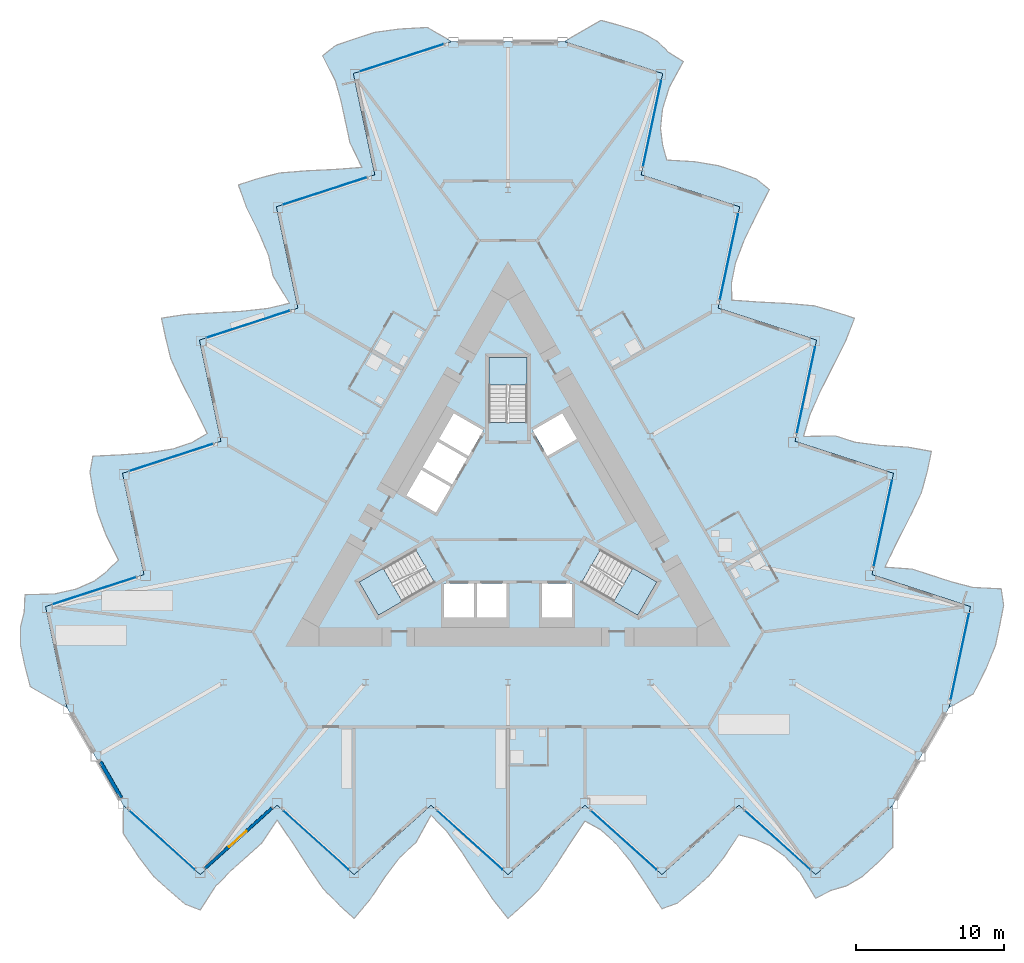
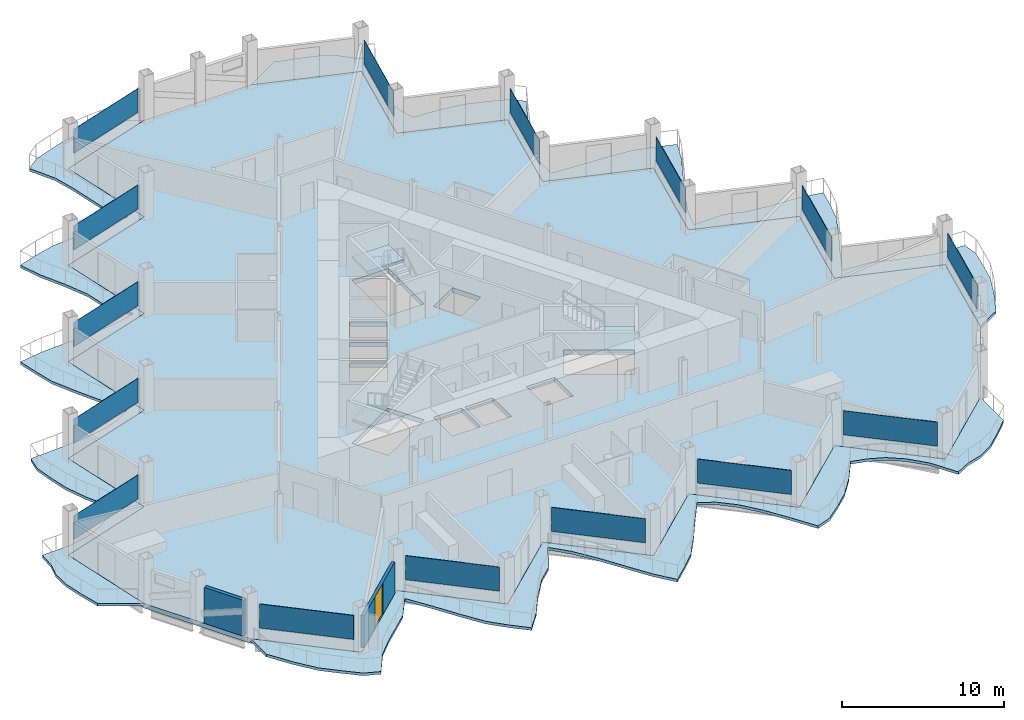
# One storey, part 10 of 24: 15 plates, 7 slabs, 2 walls, 1 door, 1 opening, 18 elements without a shape of their own.
"""IFC4 building model written with IfcOpenShell, lengths in metres."""

from ifc_helpers import new_model, si_unit, direction, frame, frame_2d, origin, origin_2d, place, context, subcontext, project, spatial, polyline, rectangle, outline, extrude, material, layer, layer_set, type_object, element, fill, aggregate, save


model = new_model("IFC4")

# Units and contexts
model_context = context("Model", 3, precision=1e-05, world=origin(), true_north=direction((0.0, 1.0)))
body_context = subcontext(model_context, "Body", "Model", "MODEL_VIEW")
ifc_project = project(units=[si_unit("LENGTHUNIT", "METRE"), si_unit("AREAUNIT", "SQUARE_METRE"), si_unit("VOLUMEUNIT", "CUBIC_METRE"), si_unit("PLANEANGLEUNIT", "RADIAN"), si_unit("MASSUNIT", "GRAM", prefix="KILO")], contexts=[model_context])

# Site, building, storey
site_placement = place(None, origin())
site = spatial("IfcSite", under=ifc_project, at=site_placement, CompositionType="ELEMENT")
building_placement = place(site_placement, origin())
building = spatial("IfcBuilding", under=site, at=building_placement, Name="Cormorant Prow Tower", CompositionType="ELEMENT")
storey_placement = place(building_placement, frame((0.0, 0.0, 270.60009765625)))
storey = spatial("IfcBuildingStorey", under=building, at=storey_placement, Name="L61", CompositionType="ELEMENT", Elevation=270.60009765625)

# Slabs
ifc_material_1 = material(Name="Concrete C40/50", Category="concrete")
ifc_layer_1 = layer(ifc_material_1, 0.199951171875)
ifc_layer_set_1 = layer_set([ifc_layer_1], Name="Concrete C40/50")
slab_type_1 = type_object("IfcSlabType", Name="Balcony slab 200", PredefinedType="FLOOR", material=ifc_layer_set_1)
slab_1_placement = place(storey_placement, frame((0.0, 0.0, -0.2001953125)))
element("IfcSlab", 1, at=slab_1_placement, inside=storey, type_object=slab_type_1, Name="Balcony slab S L61", PredefinedType="FLOOR", context=body_context, shape_type="SweptSolid", body=[
    extrude(outline(polyline([(-25.926025390625, -19.346435546875), (-25.926025390625, -21.24658203125), (-24.888916015625, -22.83154296875), (-23.85205078125, -24.1640625), (-22.81494140625, -25.097900390625), (-21.77783203125, -25.998046875), (-20.740966796875, -26.40380859375), (-19.703857421875, -24.799072265625), (-18.666748046875, -23.747802734375), (-17.629638671875, -22.81396484375), (-16.5927734375, -21.88037109375), (-15.5556640625, -20.34716796875), (-14.5185546875, -21.86474609375), (-13.4814453125, -23.474853515625), (-12.444580078125, -24.979248046875), (-11.407470703125, -26.031494140625), (-10.370361328125, -26.96533203125), (-9.33349609375, -25.74462890625), (-8.29638671875, -24.183349609375), (-7.25927734375, -22.81396484375), (-6.22216796875, -21.88037109375), (-5.185302734375, -19.997314453125), (-4.148193359375, -21.0908203125), (-3.111083984375, -22.50341796875), (-2.073974609375, -24.094970703125), (-1.037109375, -25.672607421875), (0.0, -26.96533203125), (1.037109375, -26.031494140625), (2.073974609375, -25.0361328125), (3.111083984375, -23.558837890625), (4.148193359375, -21.951416015625), (5.185302734375, -20.410888671875), (6.22216796875, -20.982666015625), (7.25927734375, -21.9052734375), (8.29638671875, -23.181640625), (9.33349609375, -24.7119140625), (10.370361328125, -26.321044921875), (11.407470703125, -25.94384765625), (12.444580078125, -25.097900390625), (13.4814453125, -24.1640625), (14.5185546875, -22.905517578125), (15.5556640625, -21.335205078125), (16.5927734375, -21.6064453125), (17.629638671875, -22.045654296875), (18.666748046875, -22.7978515625), (19.703857421875, -23.916015625), (20.740966796875, -25.615234375), (21.77783203125, -25.07568359375), (22.81494140625, -24.777587890625), (23.85205078125, -24.1640625), (24.888916015625, -23.230224609375), (25.926025390625, -22.205322265625), (25.926025390625, -19.346435546875), (24.888916015625, -20.2802734375), (23.85205078125, -21.214111328125), (22.81494140625, -22.147705078125), (21.77783203125, -23.08154296875), (20.740966796875, -24.015380859375), (19.703857421875, -23.08154296875), (18.666748046875, -22.147705078125), (17.629638671875, -21.214111328125), (16.5927734375, -20.2802734375), (15.5556640625, -19.346435546875), (14.5185546875, -20.2802734375), (13.4814453125, -21.214111328125), (12.444580078125, -22.147705078125), (11.407470703125, -23.08154296875), (10.370361328125, -24.015380859375), (9.33349609375, -23.08154296875), (8.29638671875, -22.147705078125), (7.25927734375, -21.214111328125), (6.22216796875, -20.2802734375), (5.185302734375, -19.346435546875), (4.148193359375, -20.2802734375), (3.111083984375, -21.214111328125), (2.073974609375, -22.147705078125), (1.037109375, -23.08154296875), (0.0, -24.015380859375), (-1.037109375, -23.08154296875), (-2.073974609375, -22.147705078125), (-3.111083984375, -21.214111328125), (-4.148193359375, -20.2802734375), (-5.185302734375, -19.346435546875), (-6.22216796875, -20.2802734375), (-7.25927734375, -21.214111328125), (-8.29638671875, -22.147705078125), (-9.33349609375, -23.08154296875), (-10.370361328125, -24.015380859375), (-11.407470703125, -23.08154296875), (-12.444580078125, -22.147705078125), (-13.4814453125, -21.214111328125), (-14.5185546875, -20.2802734375), (-15.5556640625, -19.346435546875), (-16.5927734375, -20.2802734375), (-17.629638671875, -21.214111328125), (-18.666748046875, -22.147705078125), (-19.703857421875, -23.08154296875), (-20.740966796875, -24.015380859375), (-21.77783203125, -23.08154296875), (-22.81494140625, -22.147705078125), (-23.85205078125, -21.214111328125), (-24.888916015625, -20.2802734375), (-25.926025390625, -19.346435546875)])), origin(), (0.0, 0.0, 1.0), 0.2001953125),
])
slab_2_placement = place(storey_placement, frame((0.0, 0.0, -0.2001953125)))
element("IfcSlab", 2, at=slab_2_placement, inside=storey, type_object=slab_type_1, Name="Balcony slab ENE L61", PredefinedType="FLOOR", context=body_context, shape_type="SweptSolid", body=[
    extrude(outline(polyline([(29.717529296875, -12.779296875), (31.363037109375, -11.829345703125), (32.21728515625, -10.138671875), (32.8525390625, -8.574462890625), (33.142822265625, -7.20947265625), (33.40380859375, -5.861083984375), (33.23681640625, -4.76025390625), (31.32861328125, -4.664306640625), (29.899658203125, -4.2919921875), (28.572509765625, -3.86083984375), (27.2451171875, -3.429443359375), (25.39892578125, -3.298095703125), (26.19482421875, -1.64111328125), (27.070556640625, 0.06201171875), (27.85498046875, 1.71240234375), (28.247802734375, 3.13671875), (28.537841796875, 4.501708984375), (26.962158203125, 4.789306640625), (25.091552734375, 4.906982421875), (23.38720703125, 5.120361328125), (22.06005859375, 5.551513671875), (19.910888671875, 5.508056640625), (20.33935546875, 6.953125), (21.044189453125, 8.557373046875), (21.90380859375, 10.251220703125), (22.75146484375, 11.938232421875), (23.3525390625, 13.482666015625), (22.025390625, 13.913818359375), (20.644775390625, 14.314208984375), (18.84716796875, 14.473876953125), (16.9365234375, 14.568115234375), (15.083740234375, 14.696044921875), (15.060546875, 15.8798828125), (15.3408203125, 17.2392578125), (15.927734375, 18.775634765625), (16.734375, 20.43896484375), (17.609375, 22.1416015625), (16.76416015625, 22.85107421875), (15.51318359375, 23.326171875), (14.185791015625, 23.75732421875), (12.57763671875, 24.0263671875), (10.698974609375, 24.13916015625), (10.415283203125, 25.1728515625), (10.27734375, 26.29052734375), (10.41015625, 27.564697265625), (10.85986328125, 29.02197265625), (11.81298828125, 30.769775390625), (10.8271484375, 31.39794921875), (10.050537109375, 32.14697265625), (9.000732421875, 32.738525390625), (7.673583984375, 33.169677734375), (6.267333984375, 33.55517578125), (3.79150390625, 32.1259765625), (5.11865234375, 31.694580078125), (6.44580078125, 31.263427734375), (7.773193359375, 30.832275390625), (9.100341796875, 30.40087890625), (10.427490234375, 29.9697265625), (10.13720703125, 28.604736328125), (9.84716796875, 27.23974609375), (9.55712890625, 25.874755859375), (9.266845703125, 24.509765625), (8.976806640625, 23.144775390625), (10.303955078125, 22.713623046875), (11.631103515625, 22.282470703125), (12.958251953125, 21.85107421875), (14.285400390625, 21.419921875), (15.612548828125, 20.98876953125), (15.322509765625, 19.623779296875), (15.032470703125, 18.2587890625), (14.7421875, 16.893798828125), (14.4521484375, 15.52880859375), (14.161865234375, 14.163818359375), (15.4892578125, 13.732666015625), (16.81640625, 13.30126953125), (18.1435546875, 12.8701171875), (19.470703125, 12.43896484375), (20.7978515625, 12.007568359375), (20.5078125, 10.642578125), (20.217529296875, 9.277587890625), (19.927490234375, 7.91259765625), (19.63720703125, 6.547607421875), (19.34716796875, 5.1826171875), (20.67431640625, 4.75146484375), (22.00146484375, 4.3203125), (23.32861328125, 3.88916015625), (24.656005859375, 3.457763671875), (25.983154296875, 3.026611328125), (25.69287109375, 1.66162109375), (25.40283203125, 0.296630859375), (25.112548828125, -1.068359375), (24.822509765625, -2.433349609375), (24.532470703125, -3.79833984375), (25.859619140625, -4.2294921875), (27.186767578125, -4.660888671875), (28.513916015625, -5.092041015625), (29.841064453125, -5.523193359375), (31.168212890625, -5.954345703125), (30.878173828125, -7.3193359375), (30.588134765625, -8.684326171875), (30.2978515625, -10.04931640625), (30.0078125, -11.414306640625), (29.717529296875, -12.779296875)])), origin(), (0.0, 0.0, 1.0), 0.2001953125),
])
slab_3_placement = place(storey_placement, frame((0.0, 0.0, -0.2001953125)))
element("IfcSlab", 3, at=slab_3_placement, inside=storey, type_object=slab_type_1, Name="Balcony slab WNW L61", PredefinedType="FLOOR", context=body_context, shape_type="SweptSolid", body=[
    extrude(outline(polyline([(-3.79150390625, 32.1259765625), (-5.43701171875, 33.075927734375), (-7.328125, 32.97021484375), (-9.000732421875, 32.738525390625), (-10.327880859375, 32.30712890625), (-11.6259765625, 31.859130859375), (-12.49609375, 31.1640625), (-11.624755859375, 29.463623046875), (-11.23291015625, 28.039794921875), (-10.942626953125, 26.6748046875), (-10.652587890625, 25.309814453125), (-9.84326171875, 23.64501953125), (-11.67626953125, 23.505859375), (-13.589111328125, 23.412841796875), (-15.410400390625, 23.266845703125), (-16.84033203125, 22.89501953125), (-18.16748046875, 22.463623046875), (-17.62890625, 20.955322265625), (-16.79541015625, 19.276611328125), (-16.1279296875, 17.69384765625), (-15.837646484375, 16.328857421875), (-14.7255859375, 14.4892578125), (-16.191162109375, 14.137939453125), (-17.93310546875, 13.946044921875), (-19.829833984375, 13.84375), (-21.714599609375, 13.734375), (-23.3525390625, 13.482666015625), (-23.0625, 12.11767578125), (-22.718994140625, 10.721923828125), (-21.958251953125, 9.085205078125), (-21.08447265625, 7.38330078125), (-20.26904296875, 5.71484375), (-21.28271484375, 5.102783203125), (-22.60009765625, 4.665771484375), (-24.22412109375, 4.406005859375), (-26.06787109375, 4.27294921875), (-27.97998046875, 4.179443359375), (-28.171630859375, 3.0927734375), (-27.95751953125, 1.771728515625), (-27.66748046875, 0.40673828125), (-27.09619140625, -1.12060546875), (-26.254638671875, -2.803955078125), (-27.008056640625, -3.56640625), (-27.906982421875, -4.244873046875), (-29.076904296875, -4.76708984375), (-30.563720703125, -5.10595703125), (-32.553955078125, -5.154541015625), (-32.605224609375, -6.322265625), (-32.865478515625, -7.36962890625), (-32.8525390625, -8.574462890625), (-32.5625, -9.939453125), (-32.193359375, -11.349853515625), (-29.717529296875, -12.779296875), (-30.0078125, -11.414306640625), (-30.2978515625, -10.04931640625), (-30.588134765625, -8.684326171875), (-30.878173828125, -7.3193359375), (-31.168212890625, -5.954345703125), (-29.841064453125, -5.523193359375), (-28.513916015625, -5.092041015625), (-27.186767578125, -4.660888671875), (-25.859619140625, -4.2294921875), (-24.532470703125, -3.79833984375), (-24.822509765625, -2.433349609375), (-25.112548828125, -1.068359375), (-25.40283203125, 0.296630859375), (-25.69287109375, 1.66162109375), (-25.983154296875, 3.026611328125), (-24.656005859375, 3.457763671875), (-23.32861328125, 3.88916015625), (-22.00146484375, 4.3203125), (-20.67431640625, 4.75146484375), (-19.34716796875, 5.1826171875), (-19.63720703125, 6.547607421875), (-19.927490234375, 7.91259765625), (-20.217529296875, 9.277587890625), (-20.5078125, 10.642578125), (-20.7978515625, 12.007568359375), (-19.470703125, 12.43896484375), (-18.1435546875, 12.8701171875), (-16.81640625, 13.30126953125), (-15.4892578125, 13.732666015625), (-14.161865234375, 14.163818359375), (-14.4521484375, 15.52880859375), (-14.7421875, 16.893798828125), (-15.032470703125, 18.2587890625), (-15.322509765625, 19.623779296875), (-15.612548828125, 20.98876953125), (-14.285400390625, 21.419921875), (-12.958251953125, 21.85107421875), (-11.631103515625, 22.282470703125), (-10.303955078125, 22.713623046875), (-8.976806640625, 23.144775390625), (-9.266845703125, 24.509765625), (-9.55712890625, 25.874755859375), (-9.84716796875, 27.23974609375), (-10.13720703125, 28.604736328125), (-10.427490234375, 29.9697265625), (-9.100341796875, 30.40087890625), (-7.773193359375, 30.832275390625), (-6.44580078125, 31.263427734375), (-5.11865234375, 31.694580078125), (-3.79150390625, 32.1259765625)])), origin(), (0.0, 0.0, 1.0), 0.2001953125),
])

# Curtain wall, plate
ifc_material_2 = material(Name="Aluminium 6063-T6", Category="aluminium")
ifc_layer_2 = layer(ifc_material_2, 0.179931640625)
ifc_layer_set_2 = layer_set([ifc_layer_2], Name="Aluminium 6063-T6")
curtain_wall_type = type_object("IfcCurtainWallType", Name="Hotel unitised curtain wall 180", PredefinedType="NOTDEFINED", material=ifc_layer_set_2)
curtain_wall_1_placement = place(storey_placement, origin())
curtain_wall_1 = element("IfcCurtainWall", 4, at=curtain_wall_1_placement, inside=storey, type_object=curtain_wall_type, Name="Hotel curtain wall S00", PredefinedType="NOTDEFINED")
ifc_material_3 = material(Name="Clear glass", Category="glass")
ifc_layer_3 = layer(ifc_material_3, 0.028076171875)
ifc_layer_set_3 = layer_set([ifc_layer_3], Name="Clear glass")
plate_type = type_object("IfcPlateType", Name="Hotel glass panel 28", PredefinedType="CURTAIN_PANEL", material=ifc_layer_set_3)
plate_1_placement = place(storey_placement, frame((-23.31103515625, -21.700927734375, 0.89990234375), z_axis=(0.0, 0.0, 1.0), x_axis=(0.743144822266, -0.669130609926, 0.0)))
plate_1 = element("IfcPlate", 5, at=plate_1_placement, type_object=plate_type, Name="Hotel glass panel S00", PredefinedType="CURTAIN_PANEL", context=body_context, shape_type="SweptSolid", body=[
    extrude(rectangle(XDim=5.915283203125, YDim=0.028076171875, at=origin_2d()), origin(), (0.0, 0.0, 1.0), 1.80078125),
])
aggregate(curtain_wall_1, [plate_1])

curtain_wall_2_placement = place(storey_placement, origin())
curtain_wall_2 = element("IfcCurtainWall", 6, at=curtain_wall_2_placement, inside=storey, type_object=curtain_wall_type, Name="Hotel curtain wall S02", PredefinedType="NOTDEFINED")
plate_2_placement = place(storey_placement, frame((-12.940673828125, -21.700927734375, 0.89990234375), z_axis=(0.0, 0.0, 1.0), x_axis=(0.743144886439, -0.669130538654, 0.0)))
plate_2 = element("IfcPlate", 7, at=plate_2_placement, type_object=plate_type, Name="Hotel glass panel S02", PredefinedType="CURTAIN_PANEL", context=body_context, shape_type="SweptSolid", body=[
    extrude(rectangle(XDim=5.915283203125, YDim=0.028076171875, at=origin_2d()), origin(), (0.0, 0.0, 1.0), 1.80078125),
])
aggregate(curtain_wall_2, [plate_2])

curtain_wall_3_placement = place(storey_placement, origin())
curtain_wall_3 = element("IfcCurtainWall", 8, at=curtain_wall_3_placement, inside=storey, type_object=curtain_wall_type, Name="Hotel curtain wall S04", PredefinedType="NOTDEFINED")
plate_3_placement = place(storey_placement, frame((-2.5703125, -21.700927734375, 0.89990234375), z_axis=(0.0, 0.0, 1.0), x_axis=(0.743144822266, -0.669130609926, 0.0)))
plate_3 = element("IfcPlate", 9, at=plate_3_placement, type_object=plate_type, Name="Hotel glass panel S04", PredefinedType="CURTAIN_PANEL", context=body_context, shape_type="SweptSolid", body=[
    extrude(rectangle(XDim=5.915283203125, YDim=0.028076171875, at=origin_2d()), origin(), (0.0, 0.0, 1.0), 1.80078125),
])
aggregate(curtain_wall_3, [plate_3])

curtain_wall_4_placement = place(storey_placement, origin())
curtain_wall_4 = element("IfcCurtainWall", 10, at=curtain_wall_4_placement, inside=storey, type_object=curtain_wall_type, Name="Hotel curtain wall S06", PredefinedType="NOTDEFINED")
plate_4_placement = place(storey_placement, frame((7.800048828125, -21.700927734375, 0.89990234375), z_axis=(0.0, 0.0, 1.0), x_axis=(0.743144822266, -0.669130609926, 0.0)))
plate_4 = element("IfcPlate", 11, at=plate_4_placement, type_object=plate_type, Name="Hotel glass panel S06", PredefinedType="CURTAIN_PANEL", context=body_context, shape_type="SweptSolid", body=[
    extrude(rectangle(XDim=5.915283203125, YDim=0.028076171875, at=origin_2d()), origin(), (0.0, 0.0, 1.0), 1.80078125),
])
aggregate(curtain_wall_4, [plate_4])

curtain_wall_5_placement = place(storey_placement, origin())
curtain_wall_5 = element("IfcCurtainWall", 12, at=curtain_wall_5_placement, inside=storey, type_object=curtain_wall_type, Name="Hotel curtain wall S08", PredefinedType="NOTDEFINED")
plate_5_placement = place(storey_placement, frame((18.170654296875, -21.700927734375, 0.89990234375), z_axis=(0.0, 0.0, 1.0), x_axis=(0.743144822266, -0.669130609926, 0.0)))
plate_5 = element("IfcPlate", 13, at=plate_5_placement, type_object=plate_type, Name="Hotel glass panel S08", PredefinedType="CURTAIN_PANEL", context=body_context, shape_type="SweptSolid", body=[
    extrude(rectangle(XDim=5.915283203125, YDim=0.028076171875, at=origin_2d()), origin(), (0.0, 0.0, 1.0), 1.80078125),
])
aggregate(curtain_wall_5, [plate_5])

curtain_wall_6_placement = place(storey_placement, origin())
curtain_wall_6 = element("IfcCurtainWall", 14, at=curtain_wall_6_placement, inside=storey, type_object=curtain_wall_type, Name="Hotel curtain wall ENE00", PredefinedType="NOTDEFINED")
plate_6_placement = place(storey_placement, frame((30.44921875, -9.337646484375, 0.89990234375), z_axis=(0.0, 0.0, 1.0), x_axis=(0.207911705739, 0.978147597562, 0.0)))
plate_6 = element("IfcPlate", 15, at=plate_6_placement, type_object=plate_type, Name="Hotel glass panel ENE00", PredefinedType="CURTAIN_PANEL", context=body_context, shape_type="SweptSolid", body=[
    extrude(rectangle(XDim=5.915283203125, YDim=0.028076171875, at=origin_2d()), origin(), (0.0, 0.0, 1.0), 1.80078125),
])
aggregate(curtain_wall_6, [plate_6])

curtain_wall_7_placement = place(storey_placement, origin())
curtain_wall_7 = element("IfcCurtainWall", 16, at=curtain_wall_7_placement, inside=storey, type_object=curtain_wall_type, Name="Hotel curtain wall ENE02", PredefinedType="NOTDEFINED")
plate_7_placement = place(storey_placement, frame((25.263916015625, -0.3564453125, 0.89990234375), z_axis=(0.0, 0.0, 1.0), x_axis=(0.207911705739, 0.978147597562, 0.0)))
plate_7 = element("IfcPlate", 17, at=plate_7_placement, type_object=plate_type, Name="Hotel glass panel ENE02", PredefinedType="CURTAIN_PANEL", context=body_context, shape_type="SweptSolid", body=[
    extrude(rectangle(XDim=5.915283203125, YDim=0.028076171875, at=origin_2d()), origin(), (0.0, 0.0, 1.0), 1.80078125),
])
aggregate(curtain_wall_7, [plate_7])

curtain_wall_8_placement = place(storey_placement, origin())
curtain_wall_8 = element("IfcCurtainWall", 18, at=curtain_wall_8_placement, inside=storey, type_object=curtain_wall_type, Name="Hotel curtain wall ENE04", PredefinedType="NOTDEFINED")
plate_8_placement = place(storey_placement, frame((20.078857421875, 8.62451171875, 0.89990234375), z_axis=(0.0, 0.0, 1.0), x_axis=(0.207911705739, 0.978147597562, 0.0)))
plate_8 = element("IfcPlate", 19, at=plate_8_placement, type_object=plate_type, Name="Hotel glass panel ENE04", PredefinedType="CURTAIN_PANEL", context=body_context, shape_type="SweptSolid", body=[
    extrude(rectangle(XDim=5.915283203125, YDim=0.028076171875, at=origin_2d()), origin(), (0.0, 0.0, 1.0), 1.80078125),
])
aggregate(curtain_wall_8, [plate_8])

curtain_wall_9_placement = place(storey_placement, origin())
curtain_wall_9 = element("IfcCurtainWall", 20, at=curtain_wall_9_placement, inside=storey, type_object=curtain_wall_type, Name="Hotel curtain wall ENE06", PredefinedType="NOTDEFINED")
plate_9_placement = place(storey_placement, frame((14.8935546875, 17.60546875, 0.89990234375), z_axis=(0.0, 0.0, 1.0), x_axis=(0.207911676597, 0.978147603757, 0.0)))
plate_9 = element("IfcPlate", 21, at=plate_9_placement, type_object=plate_type, Name="Hotel glass panel ENE06", PredefinedType="CURTAIN_PANEL", context=body_context, shape_type="SweptSolid", body=[
    extrude(rectangle(XDim=5.915283203125, YDim=0.028076171875, at=origin_2d()), origin(), (0.0, 0.0, 1.0), 1.80078125),
])
aggregate(curtain_wall_9, [plate_9])

curtain_wall_10_placement = place(storey_placement, origin())
curtain_wall_10 = element("IfcCurtainWall", 22, at=curtain_wall_10_placement, inside=storey, type_object=curtain_wall_type, Name="Hotel curtain wall ENE08", PredefinedType="NOTDEFINED")
plate_10_placement = place(storey_placement, frame((9.708251953125, 26.586669921875, 0.89990234375), z_axis=(0.0, 0.0, 1.0), x_axis=(0.207911705739, 0.978147597562, 0.0)))
plate_10 = element("IfcPlate", 23, at=plate_10_placement, type_object=plate_type, Name="Hotel glass panel ENE08", PredefinedType="CURTAIN_PANEL", context=body_context, shape_type="SweptSolid", body=[
    extrude(rectangle(XDim=5.915283203125, YDim=0.028076171875, at=origin_2d()), origin(), (0.0, 0.0, 1.0), 1.80078125),
])
aggregate(curtain_wall_10, [plate_10])

curtain_wall_11_placement = place(storey_placement, origin())
curtain_wall_11 = element("IfcCurtainWall", 24, at=curtain_wall_11_placement, inside=storey, type_object=curtain_wall_type, Name="Hotel curtain wall WNW00", PredefinedType="NOTDEFINED")
plate_11_placement = place(storey_placement, frame((-7.137939453125, 31.03857421875, 0.89990234375), z_axis=(0.0, 0.0, 1.0), x_axis=(-0.95105651684, -0.309016992698, 0.0)))
plate_11 = element("IfcPlate", 25, at=plate_11_placement, type_object=plate_type, Name="Hotel glass panel WNW00", PredefinedType="CURTAIN_PANEL", context=body_context, shape_type="SweptSolid", body=[
    extrude(rectangle(XDim=5.915283203125, YDim=0.028076171875, at=origin_2d()), origin(), (0.0, 0.0, 1.0), 1.80078125),
])
aggregate(curtain_wall_11, [plate_11])

curtain_wall_12_placement = place(storey_placement, origin())
curtain_wall_12 = element("IfcCurtainWall", 26, at=curtain_wall_12_placement, inside=storey, type_object=curtain_wall_type, Name="Hotel curtain wall WNW02", PredefinedType="NOTDEFINED")
plate_12_placement = place(storey_placement, frame((-12.3232421875, 22.0576171875, 0.89990234375), z_axis=(0.0, 0.0, 1.0), x_axis=(-0.95105651684, -0.309016992698, 0.0)))
plate_12 = element("IfcPlate", 27, at=plate_12_placement, type_object=plate_type, Name="Hotel glass panel WNW02", PredefinedType="CURTAIN_PANEL", context=body_context, shape_type="SweptSolid", body=[
    extrude(rectangle(XDim=5.915283203125, YDim=0.028076171875, at=origin_2d()), origin(), (0.0, 0.0, 1.0), 1.80078125),
])
aggregate(curtain_wall_12, [plate_12])

curtain_wall_13_placement = place(storey_placement, origin())
curtain_wall_13 = element("IfcCurtainWall", 28, at=curtain_wall_13_placement, inside=storey, type_object=curtain_wall_type, Name="Hotel curtain wall WNW04", PredefinedType="NOTDEFINED")
plate_13_placement = place(storey_placement, frame((-17.508544921875, 13.076416015625, 0.89990234375), z_axis=(0.0, 0.0, 1.0), x_axis=(-0.95105651684, -0.309016992698, 0.0)))
plate_13 = element("IfcPlate", 29, at=plate_13_placement, type_object=plate_type, Name="Hotel glass panel WNW04", PredefinedType="CURTAIN_PANEL", context=body_context, shape_type="SweptSolid", body=[
    extrude(rectangle(XDim=5.915283203125, YDim=0.028076171875, at=origin_2d()), origin(), (0.0, 0.0, 1.0), 1.80078125),
])
aggregate(curtain_wall_13, [plate_13])

curtain_wall_14_placement = place(storey_placement, origin())
curtain_wall_14 = element("IfcCurtainWall", 30, at=curtain_wall_14_placement, inside=storey, type_object=curtain_wall_type, Name="Hotel curtain wall WNW06", PredefinedType="NOTDEFINED")
plate_14_placement = place(storey_placement, frame((-22.693603515625, 4.095458984375, 0.89990234375), z_axis=(0.0, 0.0, 1.0), x_axis=(-0.95105651684, -0.309016992698, 0.0)))
plate_14 = element("IfcPlate", 31, at=plate_14_placement, type_object=plate_type, Name="Hotel glass panel WNW06", PredefinedType="CURTAIN_PANEL", context=body_context, shape_type="SweptSolid", body=[
    extrude(rectangle(XDim=5.915283203125, YDim=0.028076171875, at=origin_2d()), origin(), (0.0, 0.0, 1.0), 1.80078125),
])
aggregate(curtain_wall_14, [plate_14])

curtain_wall_15_placement = place(storey_placement, origin())
curtain_wall_15 = element("IfcCurtainWall", 32, at=curtain_wall_15_placement, inside=storey, type_object=curtain_wall_type, Name="Hotel curtain wall WNW08", PredefinedType="NOTDEFINED")
plate_15_placement = place(storey_placement, frame((-27.87890625, -4.8857421875, 0.89990234375), z_axis=(0.0, 0.0, 1.0), x_axis=(-0.95105651684, -0.309016992698, 0.0)))
plate_15 = element("IfcPlate", 33, at=plate_15_placement, type_object=plate_type, Name="Hotel glass panel WNW08", PredefinedType="CURTAIN_PANEL", context=body_context, shape_type="SweptSolid", body=[
    extrude(rectangle(XDim=5.915283203125, YDim=0.028076171875, at=origin_2d()), origin(), (0.0, 0.0, 1.0), 1.80078125),
])
aggregate(curtain_wall_15, [plate_15])

# Slab
ifc_material_4 = material(Name="Concrete C40/50", Category="concrete")
ifc_layer_4 = layer(ifc_material_4, 0.35009765625)
ifc_layer_set_4 = layer_set([ifc_layer_4], Name="Concrete C40/50")
slab_type_2 = type_object("IfcSlabType", Name="Post-tensioned flat slab 350", PredefinedType="FLOOR", material=ifc_layer_set_4)
slab_4_placement = place(storey_placement, frame((0.0, 0.0, -0.35009765625)))
element("IfcSlab", 34, at=slab_4_placement, inside=storey, type_object=slab_type_2, Name="Floor slab L61", PredefinedType="FLOOR", context=body_context, shape_type="SweptSolid", body=[
    extrude(outline(polyline([(-8.976806640625, 23.144775390625), (-15.612548828125, 20.98876953125), (-14.161865234375, 14.163818359375), (-20.7978515625, 12.007568359375), (-19.34716796875, 5.1826171875), (-25.983154296875, 3.026611328125), (-24.532470703125, -3.79833984375), (-31.168212890625, -5.954345703125), (-29.717529296875, -12.779296875), (-27.82177734375, -16.06298828125), (-25.926025390625, -19.346435546875), (-20.740966796875, -24.015380859375), (-15.5556640625, -19.346435546875), (-10.370361328125, -24.015380859375), (-5.185302734375, -19.346435546875), (0.0, -24.015380859375), (5.185302734375, -19.346435546875), (10.370361328125, -24.015380859375), (15.5556640625, -19.346435546875), (20.740966796875, -24.015380859375), (25.926025390625, -19.346435546875), (27.82177734375, -16.06298828125), (29.717529296875, -12.779296875), (31.168212890625, -5.954345703125), (24.532470703125, -3.79833984375), (25.983154296875, 3.026611328125), (19.34716796875, 5.1826171875), (20.7978515625, 12.007568359375), (14.161865234375, 14.163818359375), (15.612548828125, 20.98876953125), (8.976806640625, 23.144775390625), (10.427490234375, 29.9697265625), (3.79150390625, 32.1259765625), (0.0, 32.1259765625), (-3.79150390625, 32.1259765625), (-10.427490234375, 29.9697265625), (-8.976806640625, 23.144775390625)]), holes=[polyline([(-4.300048828125, -4.39990234375), (-2.300048828125, -4.39990234375), (-2.300048828125, -6.699951171875), (-4.300048828125, -6.699951171875), (-4.300048828125, -4.39990234375)]), polyline([(-0.10009765625, -4.39990234375), (-0.10009765625, -6.699951171875), (-2.10009765625, -6.699951171875), (-2.10009765625, -4.39990234375), (-0.10009765625, -4.39990234375)]), polyline([(4.300048828125, -6.699951171875), (2.300048828125, -6.699951171875), (2.300048828125, -4.39990234375), (4.300048828125, -4.39990234375), (4.300048828125, -6.699951171875)]), polyline([(4.65234375, 5.341796875), (2.660400390625, 4.19189453125), (1.660400390625, 5.923828125), (3.65234375, 7.073974609375), (4.65234375, 5.341796875)]), polyline([(-1.660400390625, 5.923828125), (-2.660400390625, 4.19189453125), (-4.65234375, 5.341796875), (-3.65234375, 7.073974609375), (-1.660400390625, 5.923828125)]), polyline([(-3.760498046875, 2.28662109375), (-5.75244140625, 3.4365234375), (-4.75244140625, 5.168701171875), (-2.760498046875, 4.018798828125), (-3.760498046875, 2.28662109375)]), polyline([(-6.852294921875, 1.53125), (-5.852294921875, 3.263427734375), (-3.860595703125, 2.11328125), (-4.860595703125, 0.38134765625), (-6.852294921875, 1.53125)]), polyline([(-4.947509765625, -4.3505859375), (-8.738037109375, -6.5390625), (-10.031982421875, -4.2978515625), (-6.241455078125, -2.109375), (-4.947509765625, -4.3505859375)]), polyline([(10.031982421875, -4.2978515625), (8.738037109375, -6.5390625), (4.947509765625, -4.3505859375), (6.241455078125, -2.109375), (10.031982421875, -4.2978515625)]), polyline([(1.2939453125, 10.8369140625), (1.2939453125, 6.459716796875), (-1.2939453125, 6.459716796875), (-1.2939453125, 10.8369140625), (1.2939453125, 10.8369140625)])]), origin(), (0.0, 0.0, 1.0), 0.35009765625),
])

# Stair, slab
ifc_material_5 = material(Name="Exit stair 20 risers")
stair_type = type_object("IfcStairType", Name="Exit stair 20 risers", PredefinedType="HALF_TURN_STAIR", material=ifc_material_5)
stair_1_placement = place(storey_placement, origin())
stair_1 = element("IfcStair", 35, at=stair_1_placement, inside=storey, type_object=stair_type, Name="L61 Exit stair ST1", PredefinedType="HALF_TURN_STAIR")
ifc_material_6 = material(Name="Concrete 5000 psi", Category="concrete")
ifc_layer_5 = layer(ifc_material_6, 0.199951171875)
ifc_layer_set_5 = layer_set([ifc_layer_5], Name="Concrete 5000 psi")
slab_type_3 = type_object("IfcSlabType", Name="Stair landing 200", PredefinedType="LANDING", material=ifc_layer_set_5)
slab_5_placement = place(storey_placement, frame((0.0, 0.0, 1.599853515625)))
slab_5 = element("IfcSlab", 36, at=slab_5_placement, type_object=slab_type_3, Name="ST1 landing 1", PredefinedType="LANDING", context=body_context, shape_type="SweptSolid", body=[
    extrude(outline(polyline([(-8.416748046875, -3.365234375), (-10.031982421875, -4.2978515625), (-8.738037109375, -6.5390625), (-7.122802734375, -5.6064453125), (-8.416748046875, -3.365234375)])), origin(), (0.0, 0.0, 1.0), 0.199951171875),
])
aggregate(stair_1, [slab_5])

stair_2_placement = place(storey_placement, origin())
stair_2 = element("IfcStair", 37, at=stair_2_placement, inside=storey, type_object=stair_type, Name="L61 Exit stair ST2", PredefinedType="HALF_TURN_STAIR")
slab_6_placement = place(storey_placement, frame((0.0, 0.0, 1.599853515625)))
slab_6 = element("IfcSlab", 38, at=slab_6_placement, type_object=slab_type_3, Name="ST2 landing 1", PredefinedType="LANDING", context=body_context, shape_type="SweptSolid", body=[
    extrude(outline(polyline([(7.122802734375, -5.6064453125), (8.738037109375, -6.5390625), (10.031982421875, -4.2978515625), (8.416748046875, -3.365234375), (7.122802734375, -5.6064453125)])), origin(), (0.0, 0.0, 1.0), 0.199951171875),
])
aggregate(stair_2, [slab_6])

stair_3_placement = place(storey_placement, origin())
stair_3 = element("IfcStair", 39, at=stair_3_placement, inside=storey, type_object=stair_type, Name="L61 Exit stair ST3", PredefinedType="HALF_TURN_STAIR")
slab_7_placement = place(storey_placement, frame((0.0, 0.0, 1.599853515625)))
slab_7 = element("IfcSlab", 40, at=slab_7_placement, type_object=slab_type_3, Name="ST3 landing 1", PredefinedType="LANDING", context=body_context, shape_type="SweptSolid", body=[
    extrude(outline(polyline([(1.2939453125, 8.971923828125), (1.2939453125, 10.8369140625), (-1.2939453125, 10.8369140625), (-1.2939453125, 8.971923828125), (1.2939453125, 8.971923828125)])), origin(), (0.0, 0.0, 1.0), 0.199951171875),
])
aggregate(stair_3, [slab_7])

# Wall
ifc_material_7 = material(Name="Terracotta", Category="masonry")
ifc_layer_6 = layer(ifc_material_7, 0.25)
ifc_layer_set_6 = layer_set([ifc_layer_6], Name="Terracotta")
wall_type_1 = type_object("IfcWallType", Name="Terracotta bay wall 250", PredefinedType="SOLIDWALL", material=ifc_layer_set_6)
wall_1_placement = place(storey_placement, frame((-27.47607421875, -16.41162109375, 0.0), z_axis=(0.0, 0.0, 1.0), x_axis=(0.49996263964, -0.866046972724, 0.0)))
element("IfcWall", 41, at=wall_1_placement, inside=storey, type_object=wall_type_1, Name="Terracotta bay wall WSW01", PredefinedType="SOLIDWALL", context=body_context, shape_type="SweptSolid", body=[
    extrude(rectangle(XDim=2.815673828125, YDim=0.25, at=frame_2d((1.40771484375, 0.0))), origin(), (0.0, 0.0, 1.0), 2.70068359375),
])

# Wall, opening, door
ifc_material_8 = material(Name="Terracotta", Category="masonry")
ifc_layer_7 = layer(ifc_material_8, 0.199951171875)
ifc_layer_set_7 = layer_set([ifc_layer_7], Name="Terracotta")
wall_type_2 = type_object("IfcWallType", Name="Terracotta jamb wall 200", PredefinedType="SOLIDWALL", material=ifc_layer_set_7)
wall_2_placement = place(storey_placement, frame((-20.435546875, -23.605712890625, 0.0), z_axis=(0.0, 0.0, 1.0), x_axis=(0.743162414049, 0.669111071755, 0.0)))
wall_2 = element("IfcWall", 42, at=wall_2_placement, inside=storey, type_object=wall_type_2, Name="Terracotta jamb wall S01", PredefinedType="SOLIDWALL", context=body_context, shape_type="SweptSolid", body=[
    extrude(rectangle(XDim=6.082763671875, YDim=0.199951171875, at=frame_2d((3.04150390625, 0.0))), origin(), (0.0, 0.0, 1.0), 2.404052734375),
])
opening_placement = place(wall_2_placement, frame((2.187744140625, 0.0, 0.0)))
opening = element("IfcOpeningElement", 43, at=opening_placement, cuts=wall_2, Name="Opening ED61.01", PredefinedType="OPENING", context=body_context, shape_type="SweptSolid", body=[
    extrude(rectangle(XDim=1.60009765625, YDim=2.39990234375, at=frame_2d((0.800048828125, 1.199951171875))), frame((0.0, 0.10986328125, 0.0), z_axis=(0.0, -1.0, 0.0), x_axis=(1.0, 0.0, 0.0)), (0.0, 0.0, 1.0), 0.219970703125),
])
ifc_material_9 = material(Name="Aluminium 6063-T6", Category="aluminium")
door_type = type_object("IfcDoorType", Name="Balcony door 1600x2400", OperationType="DOUBLE_DOOR_SINGLE_SWING", PredefinedType="DOOR", material=ifc_material_9)
door_placement = place(opening_placement, origin())
door = element("IfcDoor", 44, at=door_placement, inside=storey, type_object=door_type, Name="Balcony door S01 ED61.01", OperationType="DOUBLE_DOOR_SINGLE_SWING", OverallHeight=2.39990234375, OverallWidth=1.60009765625, PredefinedType="DOOR", context=body_context, shape_type="SweptSolid", body=[
    extrude(rectangle(XDim=1.60009765625, YDim=2.39990234375, at=frame_2d((0.800048828125, 1.199951171875))), frame((0.0, 0.02490234375, 0.0), z_axis=(0.0, -1.0, 0.0), x_axis=(1.0, 0.0, 0.0)), (0.0, 0.0, 1.0), 0.050048828125),
])
fill(opening, door)

save(model, "model.ifc")
